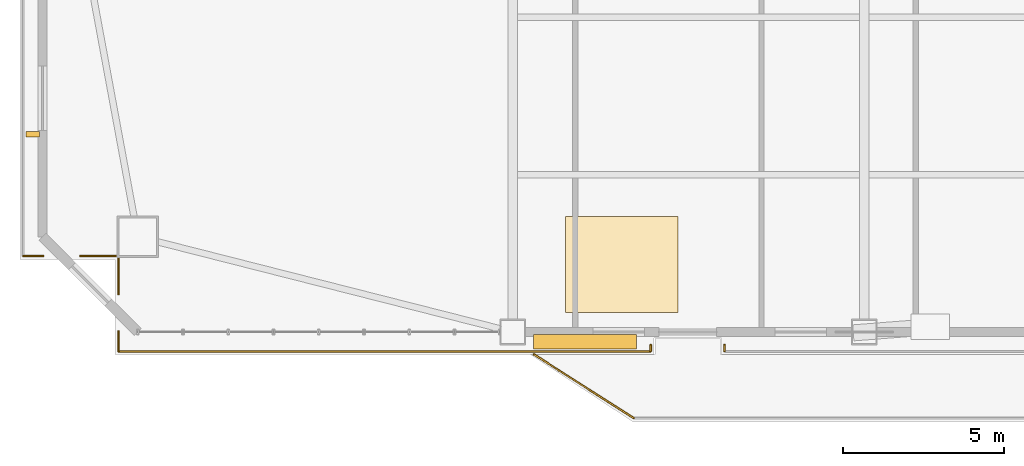
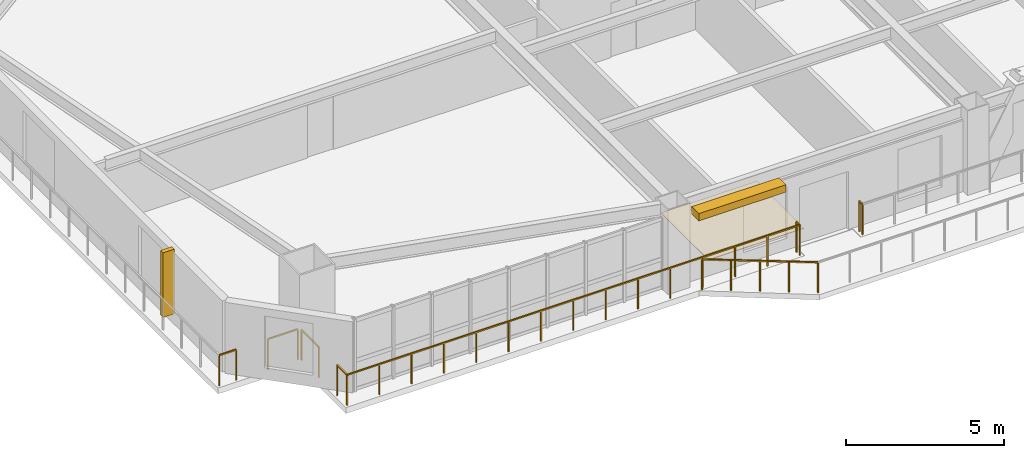
# One storey, part 13 of 17: 8 railings, 2 shading devices, 1 covering.
"""IFC4 building model written with IfcOpenShell, lengths in metres."""

from ifc_helpers import new_model, si_unit, direction, frame, origin, origin_2d, place, context, subcontext, project, spatial, polyline, rectangle, outline, extrude, source, transform, mapped, material, layer, layer_set, type_object, element, save


model = new_model("IFC4")

# Units and contexts
model_context = context("Model", 3, precision=1e-05, world=origin(), true_north=direction((0.0, 1.0)))
body_context = subcontext(model_context, "Body", "Model", "MODEL_VIEW")
ifc_project = project(units=[si_unit("LENGTHUNIT", "METRE"), si_unit("AREAUNIT", "SQUARE_METRE"), si_unit("VOLUMEUNIT", "CUBIC_METRE"), si_unit("PLANEANGLEUNIT", "RADIAN"), si_unit("MASSUNIT", "GRAM", prefix="KILO")], contexts=[model_context])

# Site, building, storey
site_placement = place(None, origin())
site = spatial("IfcSite", under=ifc_project, at=site_placement, CompositionType="ELEMENT")
building_placement = place(site_placement, origin())
building = spatial("IfcBuilding", under=site, at=building_placement, Name="Giltprow Tower", CompositionType="ELEMENT")
storey_placement = place(building_placement, frame((0.0, 0.0, 137.699951171875)))
storey = spatial("IfcBuildingStorey", under=building, at=storey_placement, Name="L33", CompositionType="ELEMENT", Elevation=137.699951171875)

# Covering
ifc_material_1 = material(Name="Engineered oak", Category="wood")
ifc_layer = layer(ifc_material_1, 0.02490234375, Name="Engineered oak")
ifc_layer_set = layer_set([ifc_layer], Name="Engineered oak")
covering_type = type_object("IfcCoveringType", Name="COV-FLR-TIMBER", PredefinedType="FLOORING", material=ifc_layer_set)
covering_placement = place(storey_placement, origin())
element("IfcCovering", 1, at=covering_placement, inside=storey, type_object=covering_type, Name="L33 Engineered Oak Guestroom Flooring", PredefinedType="FLOORING", context=body_context, shape_type="SweptSolid", body=[
    extrude(outline(polyline([(21.5, 8.64501953125), (25.0, 8.64501953125), (25.0, 11.64501953125), (21.5, 11.64501953125), (21.5, 8.64501953125)])), origin(), (0.0, 0.0, 1.0), 0.025146484375),
])

# Railings
ifc_material_2 = material(Name="Anodized bronze", Category="metal")
railing_type = type_object("IfcRailingType", Name="RAIL-BALC-GUARD-1200", PredefinedType="BALUSTRADE", material=ifc_material_2)
railing_1_placement = place(storey_placement, frame((20.52001953125, 7.344970703125, 0.0)))
element("IfcRailing", 2, at=railing_1_placement, inside=storey, type_object=railing_type, Name="L33 Waterfront Balcony Balustrade Seg 1", PredefinedType="BALUSTRADE", context=body_context, shape_type="SweptSolid", body=[
    extrude(rectangle(XDim=0.048095703125, YDim=0.048095703125, at=origin_2d()), frame((0.0, 0.0, 1.17578125), z_axis=(0.84277487735, -0.538266203757, 0.0), x_axis=(0.538266203757, 0.84277487735, 0.0)), (0.0, 0.0, 1.0), 3.678466796875),
    extrude(rectangle(XDim=0.0419921875, YDim=0.0419921875, at=origin_2d()), origin(), (0.0, 0.0, 1.0), 1.15185546875),
    extrude(rectangle(XDim=0.0419921875, YDim=0.0419921875, at=origin_2d()), frame((0.77490234375, -0.4951171875, 0.0)), (0.0, 0.0, 1.0), 1.15185546875),
    extrude(rectangle(XDim=0.0419921875, YDim=0.0419921875, at=origin_2d()), frame((1.550048828125, -0.989990234375, 0.0)), (0.0, 0.0, 1.0), 1.15185546875),
    extrude(rectangle(XDim=0.0419921875, YDim=0.0419921875, at=origin_2d()), frame((2.3251953125, -1.48486328125, 0.0)), (0.0, 0.0, 1.0), 1.15185546875),
    extrude(rectangle(XDim=0.0419921875, YDim=0.0419921875, at=origin_2d()), frame((3.10009765625, -1.97998046875, 0.0)), (0.0, 0.0, 1.0), 1.15185546875),
])
railing_2_placement = place(storey_placement, frame((7.5791015625, 7.445068359375, 0.0)))
element("IfcRailing", 3, at=railing_2_placement, inside=storey, type_object=railing_type, Name="L33 Corner Apron Edge Balustrade 1", PredefinedType="BALUSTRADE", context=body_context, shape_type="SweptSolid", body=[
    extrude(rectangle(XDim=0.048095703125, YDim=0.048095703125, at=origin_2d()), frame((0.0, 0.0, 1.17578125), z_axis=(0.0, 1.0, 0.0), x_axis=(-1.0, 0.0, 0.0)), (0.0, 0.0, 1.0), 0.619873046875),
    extrude(rectangle(XDim=0.0419921875, YDim=0.0419921875, at=origin_2d()), origin(), (0.0, 0.0, 1.0), 1.15185546875),
    extrude(rectangle(XDim=0.0419921875, YDim=0.0419921875, at=origin_2d()), frame((0.0, 0.619873046875, 0.0)), (0.0, 0.0, 1.0), 1.15185546875),
])
railing_3_placement = place(storey_placement, frame((7.5791015625, 9.22509765625, 0.0)))
element("IfcRailing", 4, at=railing_3_placement, inside=storey, type_object=railing_type, Name="L33 Corner Apron Edge Balustrade 2", PredefinedType="BALUSTRADE", context=body_context, shape_type="SweptSolid", body=[
    extrude(rectangle(XDim=0.048095703125, YDim=0.048095703125, at=origin_2d()), frame((0.0, 0.0, 1.17578125), z_axis=(0.0, 1.0, 0.0), x_axis=(-1.0, 0.0, 0.0)), (0.0, 0.0, 1.0), 1.099853515625),
    extrude(rectangle(XDim=0.0419921875, YDim=0.0419921875, at=origin_2d()), origin(), (0.0, 0.0, 1.0), 1.15185546875),
    extrude(rectangle(XDim=0.0419921875, YDim=0.0419921875, at=origin_2d()), frame((0.0, 1.099853515625, 0.0)), (0.0, 0.0, 1.0), 1.15185546875),
])
railing_4_placement = place(storey_placement, frame((7.493896484375, 10.408935546875, 0.0)))
element("IfcRailing", 5, at=railing_4_placement, inside=storey, type_object=railing_type, Name="L33 Corner Apron Edge Balustrade 3", PredefinedType="BALUSTRADE", context=body_context, shape_type="SweptSolid", body=[
    extrude(rectangle(XDim=0.048095703125, YDim=0.048095703125, at=origin_2d()), frame((0.0, 0.0, 1.17578125), z_axis=(-1.0, 0.0, 0.0), x_axis=(0.0, -1.0, 0.0)), (0.0, 0.0, 1.0), 1.098876953125),
    extrude(rectangle(XDim=0.0419921875, YDim=0.0419921875, at=origin_2d()), origin(), (0.0, 0.0, 1.0), 1.15185546875),
    extrude(rectangle(XDim=0.0419921875, YDim=0.0419921875, at=origin_2d()), frame((-1.098876953125, 0.0, 0.0)), (0.0, 0.0, 1.0), 1.15185546875),
])
railing_5_placement = place(storey_placement, frame((5.235107421875, 10.408935546875, 0.0)))
element("IfcRailing", 6, at=railing_5_placement, inside=storey, type_object=railing_type, Name="L33 Corner Apron Edge Balustrade 4", PredefinedType="BALUSTRADE", context=body_context, shape_type="SweptSolid", body=[
    extrude(rectangle(XDim=0.048095703125, YDim=0.048095703125, at=origin_2d()), frame((0.0, 0.0, 1.17578125), z_axis=(-1.0, 0.0, 0.0), x_axis=(0.0, -1.0, 0.0)), (0.0, 0.0, 1.0), 0.62109375),
    extrude(rectangle(XDim=0.0419921875, YDim=0.0419921875, at=origin_2d()), origin(), (0.0, 0.0, 1.0), 1.15185546875),
    extrude(rectangle(XDim=0.0419921875, YDim=0.0419921875, at=origin_2d()), frame((-0.62109375, 0.0, 0.0)), (0.0, 0.0, 1.0), 1.15185546875),
])
railing_6_placement = place(storey_placement, frame((26.449951171875, 7.445068359375, 0.0)))
element("IfcRailing", 7, at=railing_6_placement, inside=storey, type_object=railing_type, Name="L33 Corner Apron Edge Balustrade 23", PredefinedType="BALUSTRADE", context=body_context, shape_type="SweptSolid", body=[
    extrude(rectangle(XDim=0.048095703125, YDim=0.048095703125, at=origin_2d()), frame((0.0, 0.0, 1.17578125), z_axis=(0.0, 1.0, 0.0), x_axis=(-1.0, 0.0, 0.0)), (0.0, 0.0, 1.0), 0.199951171875),
    extrude(rectangle(XDim=0.0419921875, YDim=0.0419921875, at=origin_2d()), origin(), (0.0, 0.0, 1.0), 1.15185546875),
    extrude(rectangle(XDim=0.0419921875, YDim=0.0419921875, at=origin_2d()), frame((0.0, 0.199951171875, 0.0)), (0.0, 0.0, 1.0), 1.15185546875),
])
railing_7_placement = place(storey_placement, frame((24.14990234375, 7.64501953125, 0.0)))
element("IfcRailing", 8, at=railing_7_placement, inside=storey, type_object=railing_type, Name="L33 Corner Apron Edge Balustrade 24", PredefinedType="BALUSTRADE", context=body_context, shape_type="SweptSolid", body=[
    extrude(rectangle(XDim=0.048095703125, YDim=0.048095703125, at=origin_2d()), frame((0.0, 0.0, 1.17578125), z_axis=(0.0, -1.0, 0.0), x_axis=(1.0, 0.0, 0.0)), (0.0, 0.0, 1.0), 0.199951171875),
    extrude(rectangle(XDim=0.0419921875, YDim=0.0419921875, at=origin_2d()), origin(), (0.0, 0.0, 1.0), 1.15185546875),
    extrude(rectangle(XDim=0.0419921875, YDim=0.0419921875, at=origin_2d()), frame((0.0, -0.199951171875, 0.0)), (0.0, 0.0, 1.0), 1.15185546875),
])
railing_8_placement = place(storey_placement, frame((24.14990234375, 7.445068359375, 0.0)))
element("IfcRailing", 9, at=railing_8_placement, inside=storey, type_object=railing_type, Name="L33 Corner Apron Edge Balustrade 25", PredefinedType="BALUSTRADE", context=body_context, shape_type="SweptSolid", body=[
    extrude(rectangle(XDim=0.048095703125, YDim=0.048095703125, at=origin_2d()), frame((0.0, 0.0, 1.17578125), z_axis=(-1.0, 0.0, 0.0), x_axis=(0.0, -1.0, 0.0)), (0.0, 0.0, 1.0), 16.57080078125),
    extrude(rectangle(XDim=0.0419921875, YDim=0.0419921875, at=origin_2d()), origin(), (0.0, 0.0, 1.0), 1.15185546875),
    extrude(rectangle(XDim=0.0419921875, YDim=0.0419921875, at=origin_2d()), frame((-1.18359375, 0.0, 0.0)), (0.0, 0.0, 1.0), 1.15185546875),
    extrude(rectangle(XDim=0.0419921875, YDim=0.0419921875, at=origin_2d()), frame((-2.3671875, 0.0, 0.0)), (0.0, 0.0, 1.0), 1.15185546875),
    extrude(rectangle(XDim=0.0419921875, YDim=0.0419921875, at=origin_2d()), frame((-3.55078125, 0.0, 0.0)), (0.0, 0.0, 1.0), 1.15185546875),
    extrude(rectangle(XDim=0.0419921875, YDim=0.0419921875, at=origin_2d()), frame((-4.734619140625, 0.0, 0.0)), (0.0, 0.0, 1.0), 1.15185546875),
    extrude(rectangle(XDim=0.0419921875, YDim=0.0419921875, at=origin_2d()), frame((-5.918212890625, 0.0, 0.0)), (0.0, 0.0, 1.0), 1.15185546875),
    extrude(rectangle(XDim=0.0419921875, YDim=0.0419921875, at=origin_2d()), frame((-7.101806640625, 0.0, 0.0)), (0.0, 0.0, 1.0), 1.15185546875),
    extrude(rectangle(XDim=0.0419921875, YDim=0.0419921875, at=origin_2d()), frame((-8.285400390625, 0.0, 0.0)), (0.0, 0.0, 1.0), 1.15185546875),
    extrude(rectangle(XDim=0.0419921875, YDim=0.0419921875, at=origin_2d()), frame((-9.468994140625, 0.0, 0.0)), (0.0, 0.0, 1.0), 1.15185546875),
    extrude(rectangle(XDim=0.0419921875, YDim=0.0419921875, at=origin_2d()), frame((-10.652587890625, 0.0, 0.0)), (0.0, 0.0, 1.0), 1.15185546875),
    extrude(rectangle(XDim=0.0419921875, YDim=0.0419921875, at=origin_2d()), frame((-11.836181640625, 0.0, 0.0)), (0.0, 0.0, 1.0), 1.15185546875),
    extrude(rectangle(XDim=0.0419921875, YDim=0.0419921875, at=origin_2d()), frame((-13.02001953125, 0.0, 0.0)), (0.0, 0.0, 1.0), 1.15185546875),
    extrude(rectangle(XDim=0.0419921875, YDim=0.0419921875, at=origin_2d()), frame((-14.20361328125, 0.0, 0.0)), (0.0, 0.0, 1.0), 1.15185546875),
    extrude(rectangle(XDim=0.0419921875, YDim=0.0419921875, at=origin_2d()), frame((-15.38720703125, 0.0, 0.0)), (0.0, 0.0, 1.0), 1.15185546875),
    extrude(rectangle(XDim=0.0419921875, YDim=0.0419921875, at=origin_2d()), frame((-16.57080078125, 0.0, 0.0)), (0.0, 0.0, 1.0), 1.15185546875),
])

# Shading devices
shading_device_type_1 = type_object("IfcShadingDeviceType", Name="SHD-FIN-420", PredefinedType="USERDEFINED", material=ifc_material_2)
shared_shape_1 = source(origin(), body_context, "Body", "SweptSolid", [
    extrude(rectangle(XDim=0.419921875, YDim=0.159912109375, at=origin_2d()), origin(), (0.0, 0.0, 1.0), 2.5),
])
shading_device_1_placement = place(storey_placement, frame((4.9140625, 14.201904296875, 0.35009765625), z_axis=(0.0, 0.0, 1.0), x_axis=(1.0, 0.0, 0.0)))
element("IfcShadingDevice", 10, at=shading_device_1_placement, inside=storey, type_object=shading_device_type_1, Name="L33 W Bronze Vertical Fin 1-1", ObjectType="FIN", PredefinedType="USERDEFINED", context=body_context, shape_type="MappedRepresentation", body=[
    mapped(shared_shape_1, transform((0.0, 0.0, 0.0), x_axis=(1.0, 0.0, 0.0), y_axis=(0.0, 1.0, 0.0), z_axis=(0.0, 0.0, 1.0), scale=1.0)),
])
shading_device_type_2 = type_object("IfcShadingDeviceType", Name="SHD-LOUVRE-320", PredefinedType="JALOUSIE", material=ifc_material_2)
shared_shape_2 = source(origin(), body_context, "Body", "SweptSolid", [
    extrude(rectangle(XDim=3.199951171875, YDim=0.449951171875, at=origin_2d()), origin(), (0.0, 0.0, 1.0), 0.280029296875),
])
shading_device_2_placement = place(storey_placement, frame((22.10009765625, 7.7451171875, 2.56005859375), z_axis=(0.0, 0.0, 1.0), x_axis=(1.0, 0.0, 0.0)))
element("IfcShadingDevice", 11, at=shading_device_2_placement, inside=storey, type_object=shading_device_type_2, Name="L33 Bronze Sunshade Louvre S-2", PredefinedType="JALOUSIE", context=body_context, shape_type="MappedRepresentation", body=[
    mapped(shared_shape_2, transform((0.0, 0.0, 0.0), x_axis=(1.0, 0.0, 0.0), y_axis=(0.0, 1.0, 0.0), z_axis=(0.0, 0.0, 1.0), scale=1.0)),
])

save(model, "model.ifc")
